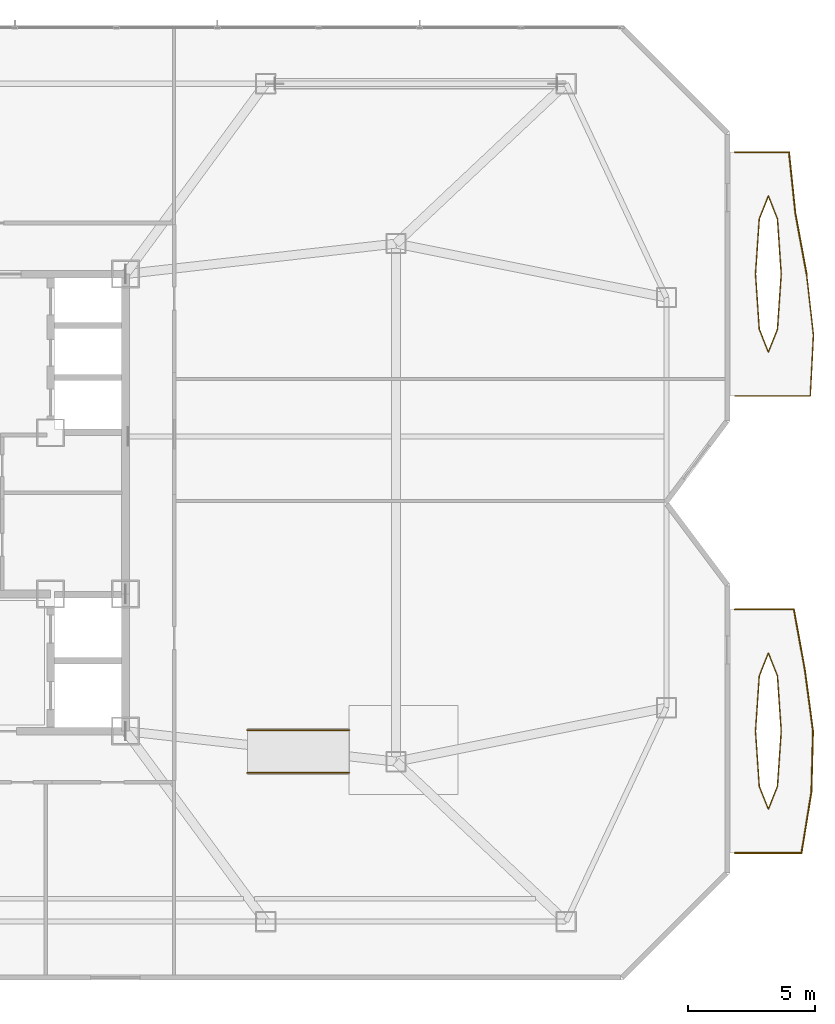
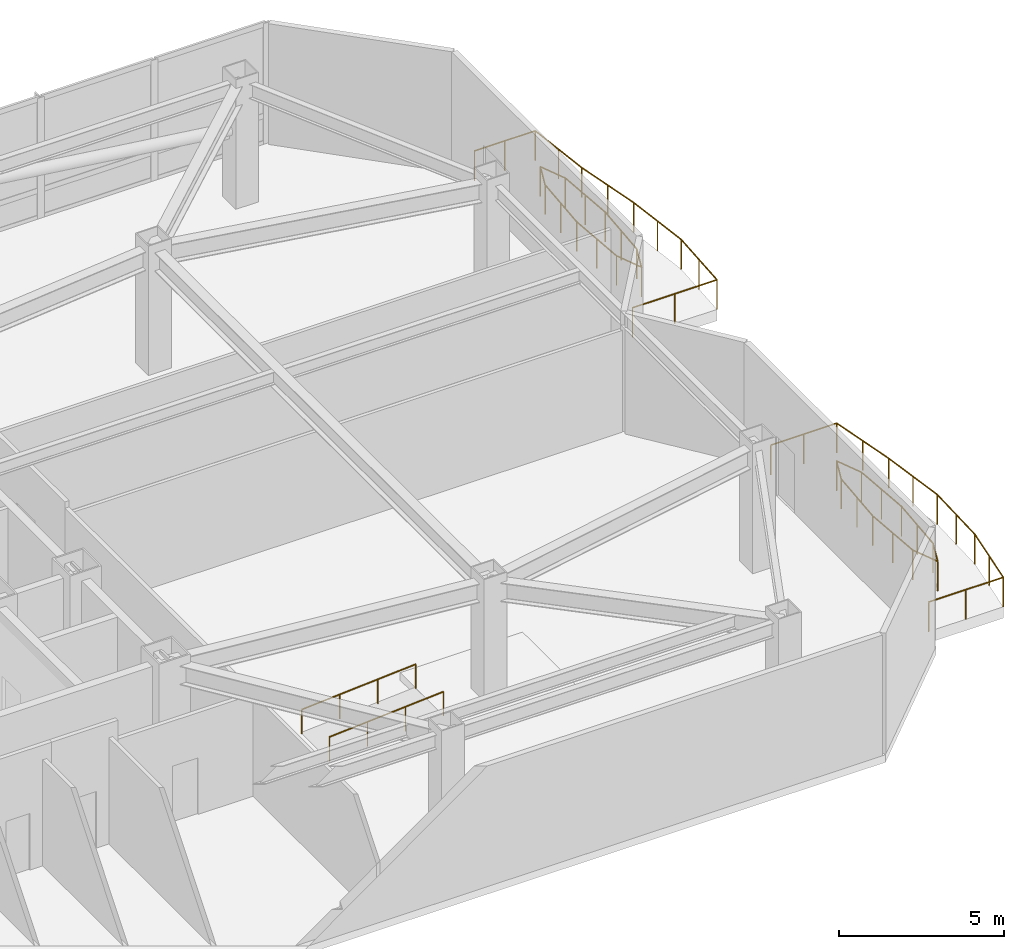
# One storey, part 15 of 16: 10 railings.
"""IFC4 building model written with IfcOpenShell, lengths in metres."""

from ifc_helpers import new_model, si_unit, direction, frame, origin, origin_2d, place, context, subcontext, project, spatial, circle, extrude, material, type_object, element, save


model = new_model("IFC4")

# Units and contexts
model_context = context("Model", 3, precision=1e-05, world=origin(), true_north=direction((0.0, 1.0)))
body_context = subcontext(model_context, "Body", "Model", "MODEL_VIEW")
ifc_project = project(units=[si_unit("LENGTHUNIT", "METRE"), si_unit("AREAUNIT", "SQUARE_METRE"), si_unit("VOLUMEUNIT", "CUBIC_METRE"), si_unit("PLANEANGLEUNIT", "RADIAN"), si_unit("MASSUNIT", "GRAM", prefix="KILO")], contexts=[model_context])

# Site, building, storey
site_placement = place(None, origin())
site = spatial("IfcSite", under=ifc_project, at=site_placement, CompositionType="ELEMENT")
building_placement = place(site_placement, origin())
building = spatial("IfcBuilding", under=site, at=building_placement, Name="Khamvora Tower", CompositionType="ELEMENT")
storey_placement = place(building_placement, frame((0.0, 0.0, 207.0)))
storey = spatial("IfcBuildingStorey", under=building, at=storey_placement, Name="L53", CompositionType="ELEMENT", Elevation=207.0)

# Railings
ifc_material_1 = material(Name="Stainless Steel 316 and Laminated Glass", Category="steel")
railing_type_1 = type_object("IfcRailingType", Name="RAL-GAL-1120", PredefinedType="GUARDRAIL", material=ifc_material_1)
railing_1_placement = place(storey_placement, frame((63.39990234375, 14.199951171875, 0.0)))
element("IfcRailing", 1, at=railing_1_placement, inside=storey, type_object=railing_type_1, Name="L53 lens gallery south perimeter guardrail EL1", PredefinedType="GUARDRAIL", context=body_context, shape_type="SweptSolid", body=[
    extrude(circle(Radius=0.02392578125, at=origin_2d()), frame((0.0, 0.0, 1.09619140625), z_axis=(1.0, 0.0, 0.0), x_axis=(0.0, 1.0, 0.0)), (0.0, 0.0, 1.0), 2.6201171875),
    extrude(circle(Radius=0.02392578125, at=origin_2d()), frame((2.6201171875, 0.0, 1.09619140625), z_axis=(0.160734739437, 0.986997641101, 0.0), x_axis=(-0.986997641101, 0.160734739437, 0.0)), (0.0, 0.0, 1.0), 2.431884765625),
    extrude(circle(Radius=0.02392578125, at=origin_2d()), frame((3.010986328125, 2.400146484375, 1.09619140625), z_axis=(0.026338773779, 0.999653074319, 0.0), x_axis=(-0.999653074319, 0.026338773779, 0.0)), (0.0, 0.0, 1.0), 2.400634765625),
    extrude(circle(Radius=0.02099609375, at=origin_2d()), origin(), (0.0, 0.0, 1.0), 1.072021484375),
    extrude(circle(Radius=0.02099609375, at=origin_2d()), frame((1.31005859375, 0.0, 0.0)), (0.0, 0.0, 1.0), 1.072021484375),
    extrude(circle(Radius=0.02099609375, at=origin_2d()), frame((2.6201171875, 0.0, 0.0)), (0.0, 0.0, 1.0), 1.072021484375),
    extrude(circle(Radius=0.02099609375, at=origin_2d()), frame((2.8154296875, 1.2001953125, 0.0)), (0.0, 0.0, 1.0), 1.072021484375),
    extrude(circle(Radius=0.02099609375, at=origin_2d()), frame((3.010986328125, 2.400146484375, 0.0)), (0.0, 0.0, 1.0), 1.072021484375),
    extrude(circle(Radius=0.02099609375, at=origin_2d()), frame((3.04248046875, 3.60009765625, 0.0)), (0.0, 0.0, 1.0), 1.072021484375),
    extrude(circle(Radius=0.02099609375, at=origin_2d()), frame((3.07421875, 4.800048828125, 0.0)), (0.0, 0.0, 1.0), 1.072021484375),
])
railing_2_placement = place(storey_placement, frame((66.47412109375, 19.0, 0.0)))
element("IfcRailing", 2, at=railing_2_placement, inside=storey, type_object=railing_type_1, Name="L53 lens gallery north perimeter guardrail EL1", PredefinedType="GUARDRAIL", context=body_context, shape_type="SweptSolid", body=[
    extrude(circle(Radius=0.02392578125, at=origin_2d()), frame((0.0, 0.0, 1.09619140625), z_axis=(-0.131404023717, 0.991328897264, 0.0), x_axis=(-0.991328897264, -0.131404023717, 0.0)), (0.0, 0.0, 1.0), 2.4208984375),
    extrude(circle(Radius=0.02392578125, at=origin_2d()), frame((-0.318115234375, 2.39990234375, 1.09619140625), z_axis=(-0.17874452243, 0.983895520724, 0.0), x_axis=(-0.983895520724, -0.17874452243, 0.0)), (0.0, 0.0, 1.0), 2.439453125),
    extrude(circle(Radius=0.02392578125, at=origin_2d()), frame((-0.754150390625, 4.800048828125, 1.09619140625), z_axis=(-1.0, 0.0, 0.0), x_axis=(0.0, -1.0, 0.0)), (0.0, 0.0, 1.0), 2.320068359375),
    extrude(circle(Radius=0.02099609375, at=origin_2d()), origin(), (0.0, 0.0, 1.0), 1.072021484375),
    extrude(circle(Radius=0.02099609375, at=origin_2d()), frame((-0.1591796875, 1.199951171875, 0.0)), (0.0, 0.0, 1.0), 1.072021484375),
    extrude(circle(Radius=0.02099609375, at=origin_2d()), frame((-0.318115234375, 2.39990234375, 0.0)), (0.0, 0.0, 1.0), 1.072021484375),
    extrude(circle(Radius=0.02099609375, at=origin_2d()), frame((-0.5361328125, 3.60009765625, 0.0)), (0.0, 0.0, 1.0), 1.072021484375),
    extrude(circle(Radius=0.02099609375, at=origin_2d()), frame((-0.754150390625, 4.800048828125, 0.0)), (0.0, 0.0, 1.0), 1.072021484375),
    extrude(circle(Radius=0.02099609375, at=origin_2d()), frame((-1.9140625, 4.800048828125, 0.0)), (0.0, 0.0, 1.0), 1.072021484375),
    extrude(circle(Radius=0.02099609375, at=origin_2d()), frame((-3.07421875, 4.800048828125, 0.0)), (0.0, 0.0, 1.0), 1.072021484375),
])
railing_3_placement = place(storey_placement, frame((65.218994140625, 19.0, 0.0)))
element("IfcRailing", 3, at=railing_3_placement, inside=storey, type_object=railing_type_1, Name="L53 lens gallery void guardrail EL1A", PredefinedType="GUARDRAIL", context=body_context, shape_type="SweptSolid", body=[
    extrude(circle(Radius=0.02392578125, at=origin_2d()), frame((0.0, 0.0, 1.09619140625), z_axis=(-0.067955394668, 0.997688360329, 0.0), x_axis=(-0.997688360329, -0.067955394668, 0.0)), (0.0, 0.0, 1.0), 2.17724609375),
    extrude(circle(Radius=0.02392578125, at=origin_2d()), frame((-0.14794921875, 2.172119140625, 1.09619140625), z_axis=(-0.367821247872, 0.92989651554, 0.0), x_axis=(-0.92989651554, -0.367821247872, 0.0)), (0.0, 0.0, 1.0), 0.9677734375),
    extrude(circle(Radius=0.02392578125, at=origin_2d()), frame((-0.50390625, 3.072021484375, 1.09619140625), z_axis=(-0.368039364147, -0.929810209902, 0.0), x_axis=(0.929810209902, -0.368039364147, 0.0)), (0.0, 0.0, 1.0), 0.9677734375),
    extrude(circle(Radius=0.02392578125, at=origin_2d()), frame((-0.860107421875, 2.172119140625, 1.09619140625), z_axis=(-0.067955394668, -0.997688360329, 0.0), x_axis=(0.997688360329, -0.067955394668, 0.0)), (0.0, 0.0, 1.0), 2.17724609375),
    extrude(circle(Radius=0.02099609375, at=origin_2d()), origin(), (0.0, 0.0, 1.0), 1.072021484375),
    extrude(circle(Radius=0.02099609375, at=origin_2d()), frame((-0.073974609375, 1.0859375, 0.0)), (0.0, 0.0, 1.0), 1.072021484375),
    extrude(circle(Radius=0.02099609375, at=origin_2d()), frame((-0.14794921875, 2.172119140625, 0.0)), (0.0, 0.0, 1.0), 1.072021484375),
    extrude(circle(Radius=0.02099609375, at=origin_2d()), frame((-0.50390625, 3.072021484375, 0.0)), (0.0, 0.0, 1.0), 1.072021484375),
    extrude(circle(Radius=0.02099609375, at=origin_2d()), frame((-0.860107421875, 2.172119140625, 0.0)), (0.0, 0.0, 1.0), 1.072021484375),
    extrude(circle(Radius=0.02099609375, at=origin_2d()), frame((-0.93408203125, 1.0859375, 0.0)), (0.0, 0.0, 1.0), 1.072021484375),
    extrude(circle(Radius=0.02099609375, at=origin_2d()), frame((-1.008056640625, 0.0, 0.0)), (0.0, 0.0, 1.0), 1.072021484375),
])
railing_4_placement = place(storey_placement, frame((64.2109375, 19.0, 0.0)))
element("IfcRailing", 4, at=railing_4_placement, inside=storey, type_object=railing_type_1, Name="L53 lens gallery void guardrail EL1B", PredefinedType="GUARDRAIL", context=body_context, shape_type="SweptSolid", body=[
    extrude(circle(Radius=0.02392578125, at=origin_2d()), frame((0.0, 0.0, 1.09619140625), z_axis=(0.067955394668, -0.997688360329, 0.0), x_axis=(0.997688360329, 0.067955394668, 0.0)), (0.0, 0.0, 1.0), 2.17724609375),
    extrude(circle(Radius=0.02392578125, at=origin_2d()), frame((0.14794921875, -2.172119140625, 1.09619140625), z_axis=(0.368039364147, -0.929810209902, 0.0), x_axis=(0.929810209902, 0.368039364147, 0.0)), (0.0, 0.0, 1.0), 0.9677734375),
    extrude(circle(Radius=0.02392578125, at=origin_2d()), frame((0.504150390625, -3.072021484375, 1.09619140625), z_axis=(0.367821247872, 0.92989651554, 0.0), x_axis=(-0.92989651554, 0.367821247872, 0.0)), (0.0, 0.0, 1.0), 0.9677734375),
    extrude(circle(Radius=0.02392578125, at=origin_2d()), frame((0.860107421875, -2.172119140625, 1.09619140625), z_axis=(0.067955394668, 0.997688360329, 0.0), x_axis=(-0.997688360329, 0.067955394668, 0.0)), (0.0, 0.0, 1.0), 2.17724609375),
    extrude(circle(Radius=0.02099609375, at=origin_2d()), origin(), (0.0, 0.0, 1.0), 1.072021484375),
    extrude(circle(Radius=0.02099609375, at=origin_2d()), frame((0.073974609375, -1.0859375, 0.0)), (0.0, 0.0, 1.0), 1.072021484375),
    extrude(circle(Radius=0.02099609375, at=origin_2d()), frame((0.14794921875, -2.172119140625, 0.0)), (0.0, 0.0, 1.0), 1.072021484375),
    extrude(circle(Radius=0.02099609375, at=origin_2d()), frame((0.504150390625, -3.072021484375, 0.0)), (0.0, 0.0, 1.0), 1.072021484375),
    extrude(circle(Radius=0.02099609375, at=origin_2d()), frame((0.860107421875, -2.172119140625, 0.0)), (0.0, 0.0, 1.0), 1.072021484375),
    extrude(circle(Radius=0.02099609375, at=origin_2d()), frame((0.93408203125, -1.0859375, 0.0)), (0.0, 0.0, 1.0), 1.072021484375),
    extrude(circle(Radius=0.02099609375, at=origin_2d()), frame((1.008056640625, 0.0, 0.0)), (0.0, 0.0, 1.0), 1.072021484375),
])
railing_5_placement = place(storey_placement, frame((63.39990234375, 32.199951171875, 0.0)))
element("IfcRailing", 5, at=railing_5_placement, inside=storey, type_object=railing_type_1, Name="L53 lens gallery south perimeter guardrail EL2", PredefinedType="GUARDRAIL", context=body_context, shape_type="SweptSolid", body=[
    extrude(circle(Radius=0.02392578125, at=origin_2d()), frame((0.0, 0.0, 1.09619140625), z_axis=(1.0, 0.0, 0.0), x_axis=(0.0, 1.0, 0.0)), (0.0, 0.0, 1.0), 2.967041015625),
    extrude(circle(Radius=0.02392578125, at=origin_2d()), frame((2.967041015625, 0.0, 1.09619140625), z_axis=(0.052009668359, 0.998646581328, 0.0), x_axis=(-0.998646581328, 0.052009668359, 0.0)), (0.0, 0.0, 1.0), 2.4033203125),
    extrude(circle(Radius=0.02392578125, at=origin_2d()), frame((3.092041015625, 2.400146484375, 1.09619140625), z_axis=(-0.112206535725, 0.993684906467, 0.0), x_axis=(-0.993684906467, -0.112206535725, 0.0)), (0.0, 0.0, 1.0), 2.4150390625),
    extrude(circle(Radius=0.02099609375, at=origin_2d()), origin(), (0.0, 0.0, 1.0), 1.072021484375),
    extrude(circle(Radius=0.02099609375, at=origin_2d()), frame((1.4833984375, 0.0, 0.0)), (0.0, 0.0, 1.0), 1.072021484375),
    extrude(circle(Radius=0.02099609375, at=origin_2d()), frame((2.967041015625, 0.0, 0.0)), (0.0, 0.0, 1.0), 1.072021484375),
    extrude(circle(Radius=0.02099609375, at=origin_2d()), frame((3.029541015625, 1.2001953125, 0.0)), (0.0, 0.0, 1.0), 1.072021484375),
    extrude(circle(Radius=0.02099609375, at=origin_2d()), frame((3.092041015625, 2.400146484375, 0.0)), (0.0, 0.0, 1.0), 1.072021484375),
    extrude(circle(Radius=0.02099609375, at=origin_2d()), frame((2.95654296875, 3.60009765625, 0.0)), (0.0, 0.0, 1.0), 1.072021484375),
    extrude(circle(Radius=0.02099609375, at=origin_2d()), frame((2.821044921875, 4.800048828125, 0.0)), (0.0, 0.0, 1.0), 1.072021484375),
])
railing_6_placement = place(storey_placement, frame((66.220947265625, 37.0, 0.0)))
element("IfcRailing", 6, at=railing_6_placement, inside=storey, type_object=railing_type_1, Name="L53 lens gallery north perimeter guardrail EL2", PredefinedType="GUARDRAIL", context=body_context, shape_type="SweptSolid", body=[
    extrude(circle(Radius=0.02392578125, at=origin_2d()), frame((0.0, 0.0, 1.09619140625), z_axis=(-0.181086036306, 0.983467257948, 0.0), x_axis=(-0.983467257948, -0.181086036306, 0.0)), (0.0, 0.0, 1.0), 2.440185546875),
    extrude(circle(Radius=0.02392578125, at=origin_2d()), frame((-0.44189453125, 2.39990234375, 1.09619140625), z_axis=(-0.103599828901, 0.994619060471, 0.0), x_axis=(-0.994619060471, -0.103599828901, 0.0)), (0.0, 0.0, 1.0), 2.4130859375),
    extrude(circle(Radius=0.02392578125, at=origin_2d()), frame((-0.69189453125, 4.800048828125, 1.09619140625), z_axis=(-1.0, 0.0, 0.0), x_axis=(0.0, -1.0, 0.0)), (0.0, 0.0, 1.0), 2.129150390625),
    extrude(circle(Radius=0.02099609375, at=origin_2d()), origin(), (0.0, 0.0, 1.0), 1.072021484375),
    extrude(circle(Radius=0.02099609375, at=origin_2d()), frame((-0.220947265625, 1.199951171875, 0.0)), (0.0, 0.0, 1.0), 1.072021484375),
    extrude(circle(Radius=0.02099609375, at=origin_2d()), frame((-0.44189453125, 2.39990234375, 0.0)), (0.0, 0.0, 1.0), 1.072021484375),
    extrude(circle(Radius=0.02099609375, at=origin_2d()), frame((-0.56689453125, 3.60009765625, 0.0)), (0.0, 0.0, 1.0), 1.072021484375),
    extrude(circle(Radius=0.02099609375, at=origin_2d()), frame((-0.69189453125, 4.800048828125, 0.0)), (0.0, 0.0, 1.0), 1.072021484375),
    extrude(circle(Radius=0.02099609375, at=origin_2d()), frame((-1.75634765625, 4.800048828125, 0.0)), (0.0, 0.0, 1.0), 1.072021484375),
    extrude(circle(Radius=0.02099609375, at=origin_2d()), frame((-2.821044921875, 4.800048828125, 0.0)), (0.0, 0.0, 1.0), 1.072021484375),
])
railing_7_placement = place(storey_placement, frame((65.218994140625, 37.0, 0.0)))
element("IfcRailing", 7, at=railing_7_placement, inside=storey, type_object=railing_type_1, Name="L53 lens gallery void guardrail EL2A", PredefinedType="GUARDRAIL", context=body_context, shape_type="SweptSolid", body=[
    extrude(circle(Radius=0.02392578125, at=origin_2d()), frame((0.0, 0.0, 1.09619140625), z_axis=(-0.067955394668, 0.997688360329, 0.0), x_axis=(-0.997688360329, -0.067955394668, 0.0)), (0.0, 0.0, 1.0), 2.17724609375),
    extrude(circle(Radius=0.02392578125, at=origin_2d()), frame((-0.14794921875, 2.172119140625, 1.09619140625), z_axis=(-0.367821247872, 0.92989651554, 0.0), x_axis=(-0.92989651554, -0.367821247872, 0.0)), (0.0, 0.0, 1.0), 0.9677734375),
    extrude(circle(Radius=0.02392578125, at=origin_2d()), frame((-0.50390625, 3.072021484375, 1.09619140625), z_axis=(-0.368039364147, -0.929810209902, 0.0), x_axis=(0.929810209902, -0.368039364147, 0.0)), (0.0, 0.0, 1.0), 0.9677734375),
    extrude(circle(Radius=0.02392578125, at=origin_2d()), frame((-0.860107421875, 2.172119140625, 1.09619140625), z_axis=(-0.067955394668, -0.997688360329, 0.0), x_axis=(0.997688360329, -0.067955394668, 0.0)), (0.0, 0.0, 1.0), 2.17724609375),
    extrude(circle(Radius=0.02099609375, at=origin_2d()), origin(), (0.0, 0.0, 1.0), 1.072021484375),
    extrude(circle(Radius=0.02099609375, at=origin_2d()), frame((-0.073974609375, 1.0859375, 0.0)), (0.0, 0.0, 1.0), 1.072021484375),
    extrude(circle(Radius=0.02099609375, at=origin_2d()), frame((-0.14794921875, 2.172119140625, 0.0)), (0.0, 0.0, 1.0), 1.072021484375),
    extrude(circle(Radius=0.02099609375, at=origin_2d()), frame((-0.50390625, 3.072021484375, 0.0)), (0.0, 0.0, 1.0), 1.072021484375),
    extrude(circle(Radius=0.02099609375, at=origin_2d()), frame((-0.860107421875, 2.172119140625, 0.0)), (0.0, 0.0, 1.0), 1.072021484375),
    extrude(circle(Radius=0.02099609375, at=origin_2d()), frame((-0.93408203125, 1.0859375, 0.0)), (0.0, 0.0, 1.0), 1.072021484375),
    extrude(circle(Radius=0.02099609375, at=origin_2d()), frame((-1.008056640625, 0.0, 0.0)), (0.0, 0.0, 1.0), 1.072021484375),
])
railing_8_placement = place(storey_placement, frame((64.2109375, 37.0, 0.0)))
element("IfcRailing", 8, at=railing_8_placement, inside=storey, type_object=railing_type_1, Name="L53 lens gallery void guardrail EL2B", PredefinedType="GUARDRAIL", context=body_context, shape_type="SweptSolid", body=[
    extrude(circle(Radius=0.02392578125, at=origin_2d()), frame((0.0, 0.0, 1.09619140625), z_axis=(0.067955394668, -0.997688360329, 0.0), x_axis=(0.997688360329, 0.067955394668, 0.0)), (0.0, 0.0, 1.0), 2.17724609375),
    extrude(circle(Radius=0.02392578125, at=origin_2d()), frame((0.14794921875, -2.172119140625, 1.09619140625), z_axis=(0.368039364147, -0.929810209902, 0.0), x_axis=(0.929810209902, 0.368039364147, 0.0)), (0.0, 0.0, 1.0), 0.9677734375),
    extrude(circle(Radius=0.02392578125, at=origin_2d()), frame((0.504150390625, -3.072021484375, 1.09619140625), z_axis=(0.367821247872, 0.92989651554, 0.0), x_axis=(-0.92989651554, 0.367821247872, 0.0)), (0.0, 0.0, 1.0), 0.9677734375),
    extrude(circle(Radius=0.02392578125, at=origin_2d()), frame((0.860107421875, -2.172119140625, 1.09619140625), z_axis=(0.067955394668, 0.997688360329, 0.0), x_axis=(-0.997688360329, 0.067955394668, 0.0)), (0.0, 0.0, 1.0), 2.17724609375),
    extrude(circle(Radius=0.02099609375, at=origin_2d()), origin(), (0.0, 0.0, 1.0), 1.072021484375),
    extrude(circle(Radius=0.02099609375, at=origin_2d()), frame((0.073974609375, -1.0859375, 0.0)), (0.0, 0.0, 1.0), 1.072021484375),
    extrude(circle(Radius=0.02099609375, at=origin_2d()), frame((0.14794921875, -2.172119140625, 0.0)), (0.0, 0.0, 1.0), 1.072021484375),
    extrude(circle(Radius=0.02099609375, at=origin_2d()), frame((0.504150390625, -3.072021484375, 0.0)), (0.0, 0.0, 1.0), 1.072021484375),
    extrude(circle(Radius=0.02099609375, at=origin_2d()), frame((0.860107421875, -2.172119140625, 0.0)), (0.0, 0.0, 1.0), 1.072021484375),
    extrude(circle(Radius=0.02099609375, at=origin_2d()), frame((0.93408203125, -1.0859375, 0.0)), (0.0, 0.0, 1.0), 1.072021484375),
    extrude(circle(Radius=0.02099609375, at=origin_2d()), frame((1.008056640625, 0.0, 0.0)), (0.0, 0.0, 1.0), 1.072021484375),
])
ifc_material_2 = material(Name="Brushed Stainless Steel 316", Category="steel")
railing_type_2 = type_object("IfcRailingType", Name="RAL-HDR-920", PredefinedType="HANDRAIL", material=ifc_material_2)
for number, where, name in (
    (9, (44.199951171875, 17.360107421875, 0.0), "L53 Sky-Garden Accessible Planter Deck Ramp RMP-03 handrail 1"),
    (10, (44.199951171875, 19.0400390625, 0.0), "L53 Sky-Garden Accessible Planter Deck Ramp RMP-03 handrail 2"),
):
    element("IfcRailing", number, at=place(storey_placement, frame(where)), inside=storey, type_object=railing_type_2, Name=name, PredefinedType="HANDRAIL", context=body_context, shape_type="SweptSolid", body=[
        extrude(circle(Radius=0.02392578125, at=origin_2d()), frame((0.0, 0.0, 0.89599609375), z_axis=(0.997558458165, 0.0, 0.069836398408), x_axis=(0.0, 1.0, 0.0)), (0.0, 0.0, 1.0), 4.009765625),
        extrude(circle(Radius=0.02099609375, at=origin_2d()), origin(), (0.0, 0.0, 1.0), 0.871826171875),
        extrude(circle(Radius=0.02099609375, at=origin_2d()), frame((1.333251953125, 0.0, 0.09326171875)), (0.0, 0.0, 1.0), 0.871826171875),
        extrude(circle(Radius=0.02099609375, at=origin_2d()), frame((2.666748046875, 0.0, 0.186767578125)), (0.0, 0.0, 1.0), 0.871826171875),
        extrude(circle(Radius=0.02099609375, at=origin_2d()), frame((4.0, 0.0, 0.280029296875)), (0.0, 0.0, 1.0), 0.871826171875),
    ])

save(model, "model.ifc")
